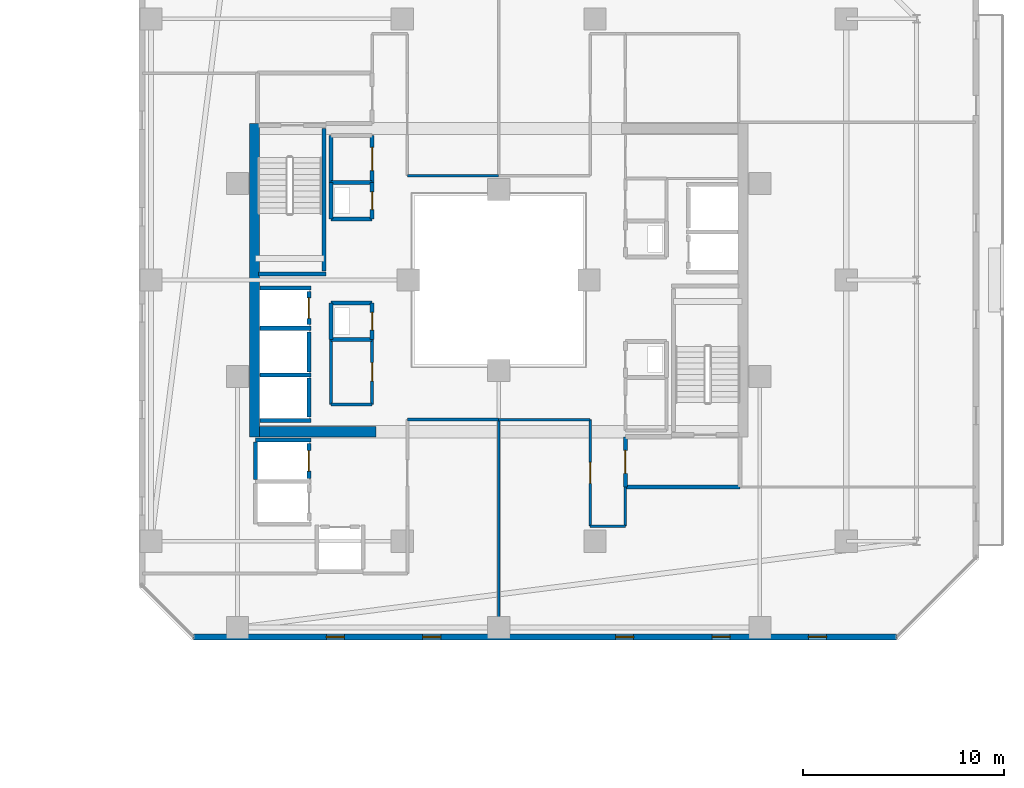
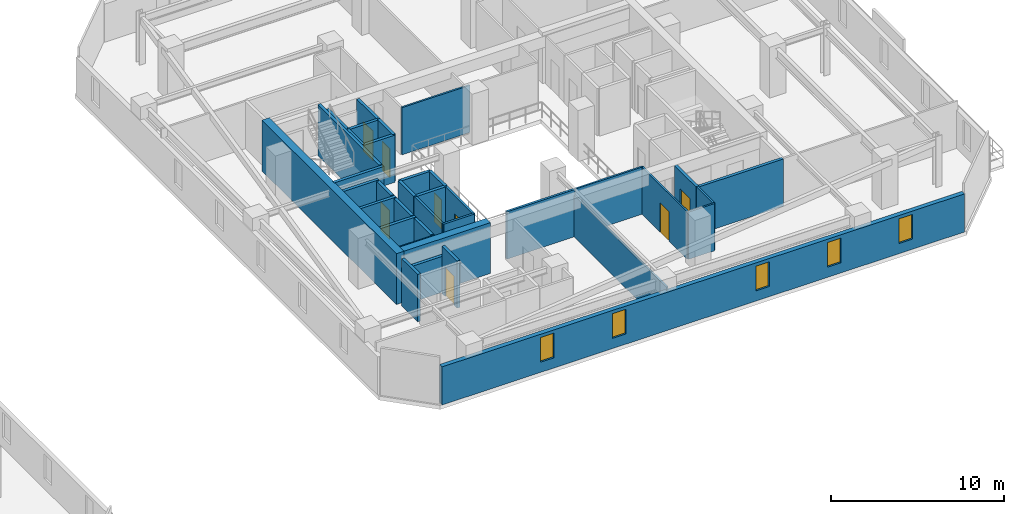
# One storey, part 23 of 32: 37 walls, 8 doors, 5 windows, 13 openings.
"""IFC4 building model written with IfcOpenShell, lengths in metres."""

from ifc_helpers import new_model, si_unit, direction, frame, frame_2d, origin, place, context, subcontext, project, spatial, rectangle, extrude, material, layer, layer_set, type_object, element, fill, save


model = new_model("IFC4")

# Units and contexts
model_context = context("Model", 3, precision=1e-05, world=origin(), true_north=direction((0.0, 1.0)))
body_context = subcontext(model_context, "Body", "Model", "MODEL_VIEW")
ifc_project = project(units=[si_unit("LENGTHUNIT", "METRE"), si_unit("AREAUNIT", "SQUARE_METRE"), si_unit("VOLUMEUNIT", "CUBIC_METRE"), si_unit("PLANEANGLEUNIT", "RADIAN"), si_unit("MASSUNIT", "GRAM", prefix="KILO")], contexts=[model_context])

# Site, building, storey
site_placement = place(None, origin())
site = spatial("IfcSite", under=ifc_project, at=site_placement, CompositionType="ELEMENT")
building_placement = place(site_placement, origin())
building = spatial("IfcBuilding", under=site, at=building_placement, Name="Thornwick Lancets Civic Towers", CompositionType="ELEMENT")
storey_placement = place(building_placement, frame((0.0, 0.0, 152.699951171875)))
storey = spatial("IfcBuildingStorey", under=building, at=storey_placement, Name="L40", CompositionType="ELEMENT", Elevation=152.699951171875)

# Wall, opening, door
ifc_material_1 = material(Name="Concrete blockwork C40/50", Category="masonry")
ifc_layer_1 = layer(ifc_material_1, 0.199951171875, Name="Concrete blockwork C40/50")
ifc_layer_set_1 = layer_set([ifc_layer_1], Name="Concrete blockwork C40/50")
wall_type_1 = type_object("IfcWallType", Name="WALL_COMP_200", PredefinedType="STANDARD", material=ifc_layer_set_1)
wall_1_placement = place(storey_placement, frame((79.050048828125, 24.780029296875, 0.0), z_axis=(0.0, 0.0, 1.0), x_axis=(0.0, 1.0, 0.0)))
wall_1 = element("IfcWall", 1, at=wall_1_placement, inside=storey, type_object=wall_type_1, Name="L40 Hoistway Front Wall FL-B2", PredefinedType="STANDARD", context=body_context, shape_type="SweptSolid", body=[
    extrude(rectangle(XDim=1.639892578125, YDim=0.199951171875, at=frame_2d((0.81982421875, 0.0))), origin(), (0.0, 0.0, 1.0), 3.340087890625),
])
opening_1_placement = place(wall_1_placement, frame((0.31005859375, 0.0, 0.0)))
opening_1 = element("IfcOpeningElement", 2, at=opening_1_placement, cuts=wall_1, Name="Opening LD-FL-B2", PredefinedType="OPENING", context=body_context, shape_type="SweptSolid", body=[
    extrude(rectangle(XDim=1.02001953125, YDim=2.06005859375, at=frame_2d((0.510009765625, 1.030029296875))), frame((0.0, 0.10986328125, 0.0), z_axis=(0.0, -1.0, 0.0), x_axis=(1.0, 0.0, 0.0)), (0.0, 0.0, 1.0), 0.219970703125),
])
ifc_material_2 = material(Name="Brushed bronze stainless steel", Category="steel")
door_type_1 = type_object("IfcDoorType", Name="DOOR_LIFT_SLIDE", OperationType="SLIDING_TO_LEFT", PredefinedType="DOOR", material=ifc_material_2)
door_1_placement = place(opening_1_placement, origin())
door_1 = element("IfcDoor", 3, at=door_1_placement, inside=storey, type_object=door_type_1, Name="L40 Sliding Lift Landing Door LD-FL-B2", OperationType="SLIDING_TO_LEFT", OverallHeight=2.06005859375, OverallWidth=1.02001953125, PredefinedType="DOOR", context=body_context, shape_type="SweptSolid", body=[
    extrude(rectangle(XDim=1.02001953125, YDim=2.06005859375, at=frame_2d((0.510009765625, 1.030029296875))), frame((0.0, 0.02490234375, 0.0), z_axis=(0.0, -1.0, 0.0), x_axis=(1.0, 0.0, 0.0)), (0.0, 0.0, 1.0), 0.050048828125),
])
fill(opening_1, door_1)

# Walls
wall_2_placement = place(storey_placement, frame((79.050048828125, 22.429931640625, 0.0), z_axis=(0.0, 0.0, 1.0), x_axis=(0.0, 1.0, 0.0)))
element("IfcWall", 4, at=wall_2_placement, inside=storey, type_object=wall_type_1, Name="L40 Hoistway Front Wall PL-BH2", PredefinedType="STANDARD", context=body_context, shape_type="SweptSolid", body=[
    extrude(rectangle(XDim=1.989990234375, YDim=0.199951171875, at=frame_2d((0.9951171875, 0.0))), origin(), (0.0, 0.0, 1.0), 3.340087890625),
])
wall_3_placement = place(storey_placement, frame((79.050048828125, 20.179931640625, 0.0), z_axis=(0.0, 0.0, 1.0), x_axis=(0.0, 1.0, 0.0)))
element("IfcWall", 5, at=wall_3_placement, inside=storey, type_object=wall_type_1, Name="L40 Hoistway Front Wall PL-BH3", PredefinedType="STANDARD", context=body_context, shape_type="SweptSolid", body=[
    extrude(rectangle(XDim=1.940185546875, YDim=0.199951171875, at=frame_2d((0.97021484375, 0.0))), origin(), (0.0, 0.0, 1.0), 3.340087890625),
])

# Wall, opening, door
wall_4_placement = place(storey_placement, frame((79.050048828125, 17.1298828125, 0.0), z_axis=(0.0, 0.0, 1.0), x_axis=(0.0, 1.0, 0.0)))
wall_4 = element("IfcWall", 6, at=wall_4_placement, inside=storey, type_object=wall_type_1, Name="L40 Hoistway Front Wall PL-BM1", PredefinedType="STANDARD", context=body_context, shape_type="SweptSolid", body=[
    extrude(rectangle(XDim=1.740234375, YDim=0.199951171875, at=frame_2d((0.8701171875, 0.0))), origin(), (0.0, 0.0, 1.0), 3.340087890625),
])
opening_2_placement = place(wall_4_placement, frame((0.360107421875, 0.0, 0.0)))
opening_2 = element("IfcOpeningElement", 7, at=opening_2_placement, cuts=wall_4, Name="Opening LD-PL-BM1", PredefinedType="OPENING", context=body_context, shape_type="SweptSolid", body=[
    extrude(rectangle(XDim=1.02001953125, YDim=2.06005859375, at=frame_2d((0.510009765625, 1.030029296875))), frame((0.0, 0.10986328125, 0.0), z_axis=(0.0, -1.0, 0.0), x_axis=(1.0, 0.0, 0.0)), (0.0, 0.0, 1.0), 0.219970703125),
])
door_2_placement = place(opening_2_placement, origin())
door_2 = element("IfcDoor", 8, at=door_2_placement, inside=storey, type_object=door_type_1, Name="L40 Sliding Lift Landing Door LD-PL-BM1", OperationType="SLIDING_TO_LEFT", OverallHeight=2.06005859375, OverallWidth=1.02001953125, PredefinedType="DOOR", context=body_context, shape_type="SweptSolid", body=[
    extrude(rectangle(XDim=1.02001953125, YDim=2.06005859375, at=frame_2d((0.510009765625, 1.030029296875))), frame((0.0, 0.02490234375, 0.0), z_axis=(0.0, -1.0, 0.0), x_axis=(1.0, 0.0, 0.0)), (0.0, 0.0, 1.0), 0.050048828125),
])
fill(opening_2, door_2)

# Walls
for number, where, z_axis, x_axis, name in (
    (9, (76.612060546875, 26.60009765625, 0.0), (0.0, 0.0, 1.0), (1.0, 0.0, 0.0), "L40 Hoistway Shaft Wall FL-B2 N"),
    (10, (76.612060546875, 24.60009765625, 0.0), (0.0, 0.0, 1.0), (1.0, 0.0, 0.0), "L40 Hoistway Shaft Wall FL-B2 S"),
    (11, (76.612060546875, 22.27490234375, 0.0), (0.0, 0.0, 1.0), (1.0, 0.0, 0.0), "L40 Hoistway Shaft Wall PL-BH2 S"),
    (12, (76.612060546875, 20.0, 0.0), (0.0, 0.0, 1.0), (1.0, 0.0, 0.0), "L40 Hoistway Shaft Wall PL-BH3 S"),
):
    element("IfcWall", number, at=place(storey_placement, frame(where, z_axis=z_axis, x_axis=x_axis)), inside=storey, type_object=wall_type_1, Name=name, PredefinedType="STANDARD", context=body_context, shape_type="SweptSolid", body=[
        extrude(rectangle(XDim=2.535888671875, YDim=0.199951171875, at=frame_2d((1.26806640625, 0.0))), origin(), (0.0, 0.0, 1.0), 3.340087890625),
    ])
wall_5_placement = place(storey_placement, frame((76.402099609375, 19.050048828125, 0.0), z_axis=(0.0, 0.0, 1.0), x_axis=(1.0, 0.0, 0.0)))
element("IfcWall", 13, at=wall_5_placement, inside=storey, type_object=wall_type_1, Name="L40 Hoistway Shaft Wall PL-BM1 N", PredefinedType="STANDARD", context=body_context, shape_type="SweptSolid", body=[
    extrude(rectangle(XDim=2.745849609375, YDim=0.199951171875, at=frame_2d((1.373046875, 0.0))), origin(), (0.0, 0.0, 1.0), 2.545166015625),
])
wall_6_placement = place(storey_placement, frame((76.39990234375, 17.08203125, 0.0), z_axis=(0.0, 0.0, 1.0), x_axis=(0.0, 1.0, 0.0)))
element("IfcWall", 14, at=wall_6_placement, inside=storey, type_object=wall_type_1, Name="L40 Hoistway Shaft Wall PL-BM1 W", PredefinedType="STANDARD", context=body_context, shape_type="SweptSolid", body=[
    extrude(rectangle(XDim=1.85595703125, YDim=0.199951171875, at=frame_2d((0.927978515625, 0.0))), origin(), (0.0, 0.0, 1.0), 3.340087890625),
])
wall_7_placement = place(storey_placement, frame((94.800048828125, 16.699951171875, 0.0), z_axis=(0.0, 0.0, 1.0), x_axis=(1.0, 0.0, 0.0)))
element("IfcWall", 15, at=wall_7_placement, inside=storey, type_object=wall_type_1, Name="L40 Partition L40-B-FFLOB1 E1", PredefinedType="STANDARD", context=body_context, shape_type="SweptSolid", body=[
    extrude(rectangle(XDim=5.699951171875, YDim=0.199951171875, at=frame_2d((2.85009765625, 0.0))), origin(), (0.0, 0.0, 1.0), 3.340087890625),
])

# Wall, opening, door
wall_8_placement = place(storey_placement, frame((94.800048828125, 19.199951171875, 0.0), z_axis=(0.0, 0.0, 1.0), x_axis=(0.0, -1.0, 0.0)))
wall_8 = element("IfcWall", 16, at=wall_8_placement, inside=storey, type_object=wall_type_1, Name="L40 Partition L40-B-FFLOB1 E4", PredefinedType="STANDARD", context=body_context, shape_type="SweptSolid", body=[
    extrude(rectangle(XDim=2.5, YDim=0.199951171875, at=frame_2d((1.25, 0.0))), origin(), (0.0, 0.0, 1.0), 3.340087890625),
])
opening_3_placement = place(wall_8_placement, frame((0.675048828125, 0.0, 0.0)))
opening_3 = element("IfcOpeningElement", 17, at=opening_3_placement, cuts=wall_8, Name="Opening D-L40-1804", PredefinedType="OPENING", context=body_context, shape_type="SweptSolid", body=[
    extrude(rectangle(XDim=1.14990234375, YDim=2.10009765625, at=frame_2d((0.574951171875, 1.050048828125))), frame((0.0, 0.10986328125, 0.0), z_axis=(0.0, -1.0, 0.0), x_axis=(1.0, 0.0, 0.0)), (0.0, 0.0, 1.0), 0.219970703125),
])
ifc_material_3 = material(Name="Glazed fire-resisting steel", Category="steel")
door_type_2 = type_object("IfcDoorType", Name="DOOR_LOBBY_FD60", OperationType="NOTDEFINED", PredefinedType="DOOR", material=ifc_material_3)
door_3_placement = place(opening_3_placement, origin())
door_3 = element("IfcDoor", 18, at=door_3_placement, inside=storey, type_object=door_type_2, Name="L40 East Firefighting Lobby 1 Door", OperationType="SINGLE_SWING_LEFT", OverallHeight=2.10009765625, OverallWidth=1.14990234375, PredefinedType="DOOR", context=body_context, shape_type="SweptSolid", body=[
    extrude(rectangle(XDim=1.14990234375, YDim=2.10009765625, at=frame_2d((0.574951171875, 1.050048828125))), frame((0.0, 0.02490234375, 0.0), z_axis=(0.0, -1.0, 0.0), x_axis=(1.0, 0.0, 0.0)), (0.0, 0.0, 1.0), 0.050048828125),
])
fill(opening_3, door_3)

# Wall
wall_9_placement = place(storey_placement, frame((80.14990234375, 24.050048828125, 0.0), z_axis=(0.0, 0.0, 1.0), x_axis=(1.0, 0.0, 0.0)))
element("IfcWall", 19, at=wall_9_placement, inside=storey, type_object=wall_type_1, Name="L40 Partition L40-B-DUCT2 E1", PredefinedType="STANDARD", context=body_context, shape_type="SweptSolid", body=[
    extrude(rectangle(XDim=2.050048828125, YDim=0.199951171875, at=frame_2d((1.02490234375, 0.0))), origin(), (0.0, 0.0, 1.0), 3.340087890625),
])

# Wall, opening, door
wall_10_placement = place(storey_placement, frame((82.199951171875, 24.050048828125, 0.0), z_axis=(0.0, 0.0, 1.0), x_axis=(0.0, 1.0, 0.0)))
wall_10 = element("IfcWall", 20, at=wall_10_placement, inside=storey, type_object=wall_type_1, Name="L40 Partition L40-B-DUCT2 E2", PredefinedType="STANDARD", context=body_context, shape_type="SweptSolid", body=[
    extrude(rectangle(XDim=1.800048828125, YDim=0.199951171875, at=frame_2d((0.89990234375, 0.0))), origin(), (0.0, 0.0, 1.0), 3.340087890625),
])
opening_4_placement = place(wall_10_placement, frame((0.4599609375, 0.0, 0.0)))
opening_4 = element("IfcOpeningElement", 21, at=opening_4_placement, cuts=wall_10, Name="Opening D-L40-1808", PredefinedType="OPENING", context=body_context, shape_type="SweptSolid", body=[
    extrude(rectangle(XDim=0.8798828125, YDim=2.0400390625, at=frame_2d((0.43994140625, 1.02001953125))), frame((0.0, 0.10986328125, 0.0), z_axis=(0.0, -1.0, 0.0), x_axis=(1.0, 0.0, 0.0)), (0.0, 0.0, 1.0), 0.219970703125),
])
ifc_material_4 = material(Name="Steel riser access doorset", Category="steel")
door_type_3 = type_object("IfcDoorType", Name="DOOR_RISER_850", OperationType="NOTDEFINED", PredefinedType="DOOR", material=ifc_material_4)
door_4_placement = place(opening_4_placement, origin())
door_4 = element("IfcDoor", 22, at=door_4_placement, inside=storey, type_object=door_type_3, Name="L40 West Service Duct 2 Door", OperationType="SINGLE_SWING_LEFT", OverallHeight=2.0400390625, OverallWidth=0.8798828125, PredefinedType="DOOR", context=body_context, shape_type="SweptSolid", body=[
    extrude(rectangle(XDim=0.8798828125, YDim=2.0400390625, at=frame_2d((0.43994140625, 1.02001953125))), frame((0.0, 0.02490234375, 0.0), z_axis=(0.0, -1.0, 0.0), x_axis=(1.0, 0.0, 0.0)), (0.0, 0.0, 1.0), 0.050048828125),
])
fill(opening_4, door_4)

# Walls
wall_11_placement = place(storey_placement, frame((82.199951171875, 25.85009765625, 0.0), z_axis=(0.0, 0.0, 1.0), x_axis=(-1.0, 0.0, 0.0)))
element("IfcWall", 23, at=wall_11_placement, inside=storey, type_object=wall_type_1, Name="L40 Partition L40-B-DUCT2 E3", PredefinedType="STANDARD", context=body_context, shape_type="SweptSolid", body=[
    extrude(rectangle(XDim=2.050048828125, YDim=0.199951171875, at=frame_2d((1.02490234375, 0.0))), origin(), (0.0, 0.0, 1.0), 3.340087890625),
])
wall_12_placement = place(storey_placement, frame((80.14990234375, 25.85009765625, 0.0), z_axis=(0.0, 0.0, 1.0), x_axis=(0.0, -1.0, 0.0)))
element("IfcWall", 24, at=wall_12_placement, inside=storey, type_object=wall_type_1, Name="L40 Partition L40-B-DUCT2 E4", PredefinedType="STANDARD", context=body_context, shape_type="SweptSolid", body=[
    extrude(rectangle(XDim=1.800048828125, YDim=0.199951171875, at=frame_2d((0.89990234375, 0.0))), origin(), (0.0, 0.0, 1.0), 3.340087890625),
])
wall_13_placement = place(storey_placement, frame((80.14990234375, 30.050048828125, 0.0), z_axis=(0.0, 0.0, 1.0), x_axis=(1.0, 0.0, 0.0)))
element("IfcWall", 25, at=wall_13_placement, inside=storey, type_object=wall_type_1, Name="L40 Partition L40-B-RISER2 E1", PredefinedType="STANDARD", context=body_context, shape_type="SweptSolid", body=[
    extrude(rectangle(XDim=2.050048828125, YDim=0.199951171875, at=frame_2d((1.02490234375, 0.0))), origin(), (0.0, 0.0, 1.0), 3.340087890625),
])

# Wall, opening, door
wall_14_placement = place(storey_placement, frame((82.199951171875, 30.050048828125, 0.0), z_axis=(0.0, 0.0, 1.0), x_axis=(0.0, 1.0, 0.0)))
wall_14 = element("IfcWall", 26, at=wall_14_placement, inside=storey, type_object=wall_type_1, Name="L40 Partition L40-B-RISER2 E2", PredefinedType="STANDARD", context=body_context, shape_type="SweptSolid", body=[
    extrude(rectangle(XDim=1.800048828125, YDim=0.199951171875, at=frame_2d((0.89990234375, 0.0))), origin(), (0.0, 0.0, 1.0), 3.340087890625),
])
opening_5_placement = place(wall_14_placement, frame((0.4599609375, 0.0, 0.0)))
opening_5 = element("IfcOpeningElement", 27, at=opening_5_placement, cuts=wall_14, Name="Opening D-L40-1809", PredefinedType="OPENING", context=body_context, shape_type="SweptSolid", body=[
    extrude(rectangle(XDim=0.8798828125, YDim=2.0400390625, at=frame_2d((0.43994140625, 1.02001953125))), frame((0.0, 0.10986328125, 0.0), z_axis=(0.0, -1.0, 0.0), x_axis=(1.0, 0.0, 0.0)), (0.0, 0.0, 1.0), 0.219970703125),
])
door_5_placement = place(opening_5_placement, origin())
door_5 = element("IfcDoor", 28, at=door_5_placement, inside=storey, type_object=door_type_3, Name="L40 West Service Riser 2 Door", OperationType="SINGLE_SWING_RIGHT", OverallHeight=2.0400390625, OverallWidth=0.8798828125, PredefinedType="DOOR", context=body_context, shape_type="SweptSolid", body=[
    extrude(rectangle(XDim=0.8798828125, YDim=2.0400390625, at=frame_2d((0.43994140625, 1.02001953125))), frame((0.0, 0.02490234375, 0.0), z_axis=(0.0, -1.0, 0.0), x_axis=(1.0, 0.0, 0.0)), (0.0, 0.0, 1.0), 0.050048828125),
])
fill(opening_5, door_5)

# Walls
wall_15_placement = place(storey_placement, frame((82.199951171875, 31.85009765625, 0.0), z_axis=(0.0, 0.0, 1.0), x_axis=(-1.0, 0.0, 0.0)))
element("IfcWall", 29, at=wall_15_placement, inside=storey, type_object=wall_type_1, Name="L40 Partition L40-B-RISER2 E3", PredefinedType="STANDARD", context=body_context, shape_type="SweptSolid", body=[
    extrude(rectangle(XDim=2.050048828125, YDim=0.199951171875, at=frame_2d((1.02490234375, 0.0))), origin(), (0.0, 0.0, 1.0), 3.340087890625),
])
wall_16_placement = place(storey_placement, frame((80.14990234375, 31.85009765625, 0.0), z_axis=(0.0, 0.0, 1.0), x_axis=(0.0, -1.0, 0.0)))
element("IfcWall", 30, at=wall_16_placement, inside=storey, type_object=wall_type_1, Name="L40 Partition L40-B-RISER2 E4", PredefinedType="STANDARD", context=body_context, shape_type="SweptSolid", body=[
    extrude(rectangle(XDim=1.800048828125, YDim=0.199951171875, at=frame_2d((0.89990234375, 0.0))), origin(), (0.0, 0.0, 1.0), 3.340087890625),
])
wall_17_placement = place(storey_placement, frame((80.14990234375, 31.85009765625, 0.0), z_axis=(0.0, 0.0, 1.0), x_axis=(0.0, 1.0, 0.0)))
element("IfcWall", 31, at=wall_17_placement, inside=storey, type_object=wall_type_1, Name="L40 Partition L40-B-STR E1", PredefinedType="STANDARD", context=body_context, shape_type="SweptSolid", body=[
    extrude(rectangle(XDim=2.349853515625, YDim=0.199951171875, at=frame_2d((1.1748046875, 0.0))), origin(), (0.0, 0.0, 1.0), 3.340087890625),
])

# Wall, opening, door
wall_18_placement = place(storey_placement, frame((82.199951171875, 34.199951171875, 0.0), z_axis=(0.0, 0.0, 1.0), x_axis=(0.0, -1.0, 0.0)))
wall_18 = element("IfcWall", 32, at=wall_18_placement, inside=storey, type_object=wall_type_1, Name="L40 Partition L40-B-STR E3", PredefinedType="STANDARD", context=body_context, shape_type="SweptSolid", body=[
    extrude(rectangle(XDim=2.349853515625, YDim=0.199951171875, at=frame_2d((1.1748046875, 0.0))), origin(), (0.0, 0.0, 1.0), 3.340087890625),
])
opening_6_placement = place(wall_18_placement, frame((0.60009765625, 0.0, 0.0)))
opening_6 = element("IfcOpeningElement", 33, at=opening_6_placement, cuts=wall_18, Name="Opening D-L40-1814", PredefinedType="OPENING", context=body_context, shape_type="SweptSolid", body=[
    extrude(rectangle(XDim=1.14990234375, YDim=2.10009765625, at=frame_2d((0.574951171875, 1.050048828125))), frame((0.0, 0.10986328125, 0.0), z_axis=(0.0, -1.0, 0.0), x_axis=(1.0, 0.0, 0.0)), (0.0, 0.0, 1.0), 0.219970703125),
])
door_6_placement = place(opening_6_placement, origin())
door_6 = element("IfcDoor", 34, at=door_6_placement, inside=storey, type_object=door_type_2, Name="L40 Tower B Core Equipment Store Door", OperationType="SINGLE_SWING_LEFT", OverallHeight=2.10009765625, OverallWidth=1.14990234375, PredefinedType="DOOR", context=body_context, shape_type="SweptSolid", body=[
    extrude(rectangle(XDim=1.14990234375, YDim=2.10009765625, at=frame_2d((0.574951171875, 1.050048828125))), frame((0.0, 0.02490234375, 0.0), z_axis=(0.0, -1.0, 0.0), x_axis=(1.0, 0.0, 0.0)), (0.0, 0.0, 1.0), 0.050048828125),
])
fill(opening_6, door_6)

# Walls
ifc_material_5 = material(Name="Concrete C50/60", Category="concrete")
ifc_layer_2 = layer(ifc_material_5, 0.5, Name="Concrete C50/60")
ifc_layer_set_2 = layer_set([ifc_layer_2], Name="Concrete C50/60")
wall_type_2 = type_object("IfcWallType", Name="WALL_CORE_500", PredefinedType="SHEAR", material=ifc_layer_set_2)
wall_19_placement = place(storey_placement, frame((76.35009765625, 19.199951171875, 0.0), z_axis=(0.0, 0.0, 1.0), x_axis=(0.0, 1.0, 0.0)))
element("IfcWall", 35, at=wall_19_placement, inside=storey, type_object=wall_type_2, Name="L40 Split Core B2 Shear Wall W", PredefinedType="SHEAR", context=body_context, shape_type="SweptSolid", body=[
    extrude(rectangle(XDim=15.60009765625, YDim=0.5, at=frame_2d((7.800048828125, 0.0))), origin(), (0.0, 0.0, 1.0), 3.60009765625),
])
wall_20_placement = place(storey_placement, frame((76.60009765625, 19.449951171875, 0.0), z_axis=(0.0, 0.0, 1.0), x_axis=(1.0, 0.0, 0.0)))
element("IfcWall", 36, at=wall_20_placement, inside=storey, type_object=wall_type_2, Name="L40 Split Core B2 Shear Wall S", PredefinedType="SHEAR", context=body_context, shape_type="SweptSolid", body=[
    extrude(rectangle(XDim=5.7998046875, YDim=0.5, at=frame_2d((2.89990234375, 0.0))), origin(), (0.0, 0.0, 1.0), 3.60009765625),
])

# Wall, openings, windows
ifc_material_6 = material(Name="Insulated russet terracotta rainscreen on concrete C40/50", Category="masonry")
ifc_layer_3 = layer(ifc_material_6, 0.300048828125, Name="Insulated russet terracotta rainscreen on concrete C40/50")
ifc_layer_set_3 = layer_set([ifc_layer_3], Name="Insulated russet terracotta rainscreen on concrete C40/50")
wall_type_3 = type_object("IfcWallType", Name="WALL_EXT_RUSSET_300", PredefinedType="STANDARD", material=ifc_layer_set_3)
wall_21_placement = place(storey_placement, frame((73.318603515625, 9.2353515625, 0.0), z_axis=(0.0, 0.0, 1.0), x_axis=(0.999999991209, 0.000132597301, 0.0)))
wall_21 = element("IfcWall", 37, at=wall_21_placement, inside=storey, type_object=wall_type_3, Name="L40 Tower B Terracotta Facade Wall E0", PredefinedType="STANDARD", context=body_context, shape_type="SweptSolid", body=[
    extrude(rectangle(XDim=34.983154296875, YDim=0.300048828125, at=frame_2d((17.49169921875, 0.0))), origin(), (0.0, 0.0, 1.0), 2.699951171875),
])
opening_7_placement = place(wall_21_placement, frame((6.60009765625, 0.0, 0.719970703125)))
opening_7 = element("IfcOpeningElement", 38, at=opening_7_placement, cuts=wall_21, Name="Opening WL-01", PredefinedType="OPENING", context=body_context, shape_type="SweptSolid", body=[
    extrude(rectangle(XDim=0.89990234375, YDim=1.75, at=frame_2d((0.449951171875, 0.875))), frame((0.0, 0.16015625, 0.0), z_axis=(0.0, -1.0, 0.0), x_axis=(1.0, 0.0, 0.0)), (0.0, 0.0, 1.0), 0.320068359375),
])
opening_8_placement = place(wall_21_placement, frame((11.39990234375, 0.0, 0.719970703125)))
opening_8 = element("IfcOpeningElement", 39, at=opening_8_placement, cuts=wall_21, Name="Opening WL-01", PredefinedType="OPENING", context=body_context, shape_type="SweptSolid", body=[
    extrude(rectangle(XDim=0.89990234375, YDim=1.75, at=frame_2d((0.449951171875, 0.875))), frame((0.0, 0.16015625, 0.0), z_axis=(0.0, -1.0, 0.0), x_axis=(1.0, 0.0, 0.0)), (0.0, 0.0, 1.0), 0.320068359375),
])
opening_9_placement = place(wall_21_placement, frame((21.0, 0.0, 0.719970703125)))
opening_9 = element("IfcOpeningElement", 40, at=opening_9_placement, cuts=wall_21, Name="Opening WL-01", PredefinedType="OPENING", context=body_context, shape_type="SweptSolid", body=[
    extrude(rectangle(XDim=0.89990234375, YDim=1.75, at=frame_2d((0.449951171875, 0.875))), frame((0.0, 0.16015625, 0.0), z_axis=(0.0, -1.0, 0.0), x_axis=(1.0, 0.0, 0.0)), (0.0, 0.0, 1.0), 0.320068359375),
])
opening_10_placement = place(wall_21_placement, frame((25.800048828125, 0.0, 0.719970703125)))
opening_10 = element("IfcOpeningElement", 41, at=opening_10_placement, cuts=wall_21, Name="Opening WL-01", PredefinedType="OPENING", context=body_context, shape_type="SweptSolid", body=[
    extrude(rectangle(XDim=0.89990234375, YDim=1.75, at=frame_2d((0.449951171875, 0.875))), frame((0.0, 0.16015625, 0.0), z_axis=(0.0, -1.0, 0.0), x_axis=(1.0, 0.0, 0.0)), (0.0, 0.0, 1.0), 0.320068359375),
])
opening_11_placement = place(wall_21_placement, frame((30.60009765625, 0.0, 0.719970703125)))
opening_11 = element("IfcOpeningElement", 42, at=opening_11_placement, cuts=wall_21, Name="Opening WL-01", PredefinedType="OPENING", context=body_context, shape_type="SweptSolid", body=[
    extrude(rectangle(XDim=0.89990234375, YDim=1.75, at=frame_2d((0.449951171875, 0.875))), frame((0.0, 0.16015625, 0.0), z_axis=(0.0, -1.0, 0.0), x_axis=(1.0, 0.0, 0.0)), (0.0, 0.0, 1.0), 0.320068359375),
])
ifc_material_7 = material(Name="Clear low-e double glazing in bronze frame", Category="glass")
window_type = type_object("IfcWindowType", Name="WIN_LANCET_900", PartitioningType="SINGLE_PANEL", PredefinedType="WINDOW", material=ifc_material_7)
window_1_placement = place(opening_7_placement, origin())
window_1 = element("IfcWindow", 43, at=window_1_placement, inside=storey, type_object=window_type, Name="L40 Tower B Staggered Lancet Window E0-1", OverallHeight=1.75, OverallWidth=0.89990234375, PartitioningType="SINGLE_PANEL", PredefinedType="WINDOW", context=body_context, shape_type="SweptSolid", body=[
    extrude(rectangle(XDim=0.89990234375, YDim=1.75, at=frame_2d((0.449951171875, 0.875))), frame((0.0, 0.030029296875, 0.0), z_axis=(0.0, -1.0, 0.0), x_axis=(1.0, 0.0, 0.0)), (0.0, 0.0, 1.0), 0.06005859375),
])
fill(opening_7, window_1)
window_2_placement = place(opening_8_placement, origin())
window_2 = element("IfcWindow", 44, at=window_2_placement, inside=storey, type_object=window_type, Name="L40 Tower B Staggered Lancet Window E0-2", OverallHeight=1.75, OverallWidth=0.89990234375, PartitioningType="SINGLE_PANEL", PredefinedType="WINDOW", context=body_context, shape_type="SweptSolid", body=[
    extrude(rectangle(XDim=0.89990234375, YDim=1.75, at=frame_2d((0.449951171875, 0.875))), frame((0.0, 0.030029296875, 0.0), z_axis=(0.0, -1.0, 0.0), x_axis=(1.0, 0.0, 0.0)), (0.0, 0.0, 1.0), 0.06005859375),
])
fill(opening_8, window_2)
window_3_placement = place(opening_9_placement, origin())
window_3 = element("IfcWindow", 45, at=window_3_placement, inside=storey, type_object=window_type, Name="L40 Tower B Staggered Lancet Window E0-3", OverallHeight=1.75, OverallWidth=0.89990234375, PartitioningType="SINGLE_PANEL", PredefinedType="WINDOW", context=body_context, shape_type="SweptSolid", body=[
    extrude(rectangle(XDim=0.89990234375, YDim=1.75, at=frame_2d((0.449951171875, 0.875))), frame((0.0, 0.030029296875, 0.0), z_axis=(0.0, -1.0, 0.0), x_axis=(1.0, 0.0, 0.0)), (0.0, 0.0, 1.0), 0.06005859375),
])
fill(opening_9, window_3)
window_4_placement = place(opening_10_placement, origin())
window_4 = element("IfcWindow", 46, at=window_4_placement, inside=storey, type_object=window_type, Name="L40 Tower B Staggered Lancet Window E0-4", OverallHeight=1.75, OverallWidth=0.89990234375, PartitioningType="SINGLE_PANEL", PredefinedType="WINDOW", context=body_context, shape_type="SweptSolid", body=[
    extrude(rectangle(XDim=0.89990234375, YDim=1.75, at=frame_2d((0.449951171875, 0.875))), frame((0.0, 0.030029296875, 0.0), z_axis=(0.0, -1.0, 0.0), x_axis=(1.0, 0.0, 0.0)), (0.0, 0.0, 1.0), 0.06005859375),
])
fill(opening_10, window_4)
window_5_placement = place(opening_11_placement, origin())
window_5 = element("IfcWindow", 47, at=window_5_placement, inside=storey, type_object=window_type, Name="L40 Tower B Staggered Lancet Window E0-5", OverallHeight=1.75, OverallWidth=0.89990234375, PartitioningType="SINGLE_PANEL", PredefinedType="WINDOW", context=body_context, shape_type="SweptSolid", body=[
    extrude(rectangle(XDim=0.89990234375, YDim=1.75, at=frame_2d((0.449951171875, 0.875))), frame((0.0, 0.030029296875, 0.0), z_axis=(0.0, -1.0, 0.0), x_axis=(1.0, 0.0, 0.0)), (0.0, 0.0, 1.0), 0.06005859375),
])
fill(opening_11, window_5)

# Walls
ifc_material_8 = material(Name="Acoustic gypsum board partition")
ifc_layer_4 = layer(ifc_material_8, 0.1201171875, Name="Acoustic gypsum board partition")
ifc_layer_set_4 = layer_set([ifc_layer_4], Name="Acoustic gypsum board partition")
wall_type_4 = type_object("IfcWallType", Name="WALL_PART_120", PredefinedType="PARTITIONING", material=ifc_layer_set_4)
wall_22_placement = place(storey_placement, frame((88.5, 9.280029296875, 0.0), z_axis=(0.0, 0.0, 1.0), x_axis=(0.0, 1.0, 0.0)))
element("IfcWall", 48, at=wall_22_placement, inside=storey, type_object=wall_type_4, Name="L40 Partition L40-B-W1 E2", PredefinedType="PARTITIONING", context=body_context, shape_type="SweptSolid", body=[
    extrude(rectangle(XDim=10.77001953125, YDim=0.1201171875, at=frame_2d((5.385009765625, 0.0))), origin(), (0.0, 0.0, 1.0), 2.93212890625),
])
wall_23_placement = place(storey_placement, frame((88.5, 20.050048828125, 0.0), z_axis=(0.0, 0.0, 1.0), x_axis=(1.0, 0.0, 0.0)))
element("IfcWall", 49, at=wall_23_placement, inside=storey, type_object=wall_type_4, Name="L40 Partition L40-B-W1 E3", PredefinedType="PARTITIONING", context=body_context, shape_type="SweptSolid", body=[
    extrude(rectangle(XDim=4.550048828125, YDim=0.1201171875, at=frame_2d((2.27490234375, 0.0))), origin(), (0.0, 0.0, 1.0), 3.340087890625),
])

# Wall, opening, door
wall_24_placement = place(storey_placement, frame((93.050048828125, 20.050048828125, 0.0), z_axis=(0.0, 0.0, 1.0), x_axis=(0.0, -1.0, 0.0)))
wall_24 = element("IfcWall", 50, at=wall_24_placement, inside=storey, type_object=wall_type_4, Name="L40 Partition L40-B-W1 E4", PredefinedType="PARTITIONING", context=body_context, shape_type="SweptSolid", body=[
    extrude(rectangle(XDim=5.300048828125, YDim=0.1201171875, at=frame_2d((2.64990234375, 0.0))), origin(), (0.0, 0.0, 1.0), 3.340087890625),
])
opening_12_placement = place(wall_24_placement, frame((2.125, 0.0, 0.0)))
opening_12 = element("IfcOpeningElement", 51, at=opening_12_placement, cuts=wall_24, Name="Opening D-L40-1821", PredefinedType="OPENING", context=body_context, shape_type="SweptSolid", body=[
    extrude(rectangle(XDim=1.050048828125, YDim=2.10009765625, at=frame_2d((0.52490234375, 1.050048828125))), frame((0.0, 0.070068359375, 0.0), z_axis=(0.0, -1.0, 0.0), x_axis=(1.0, 0.0, 0.0)), (0.0, 0.0, 1.0), 0.14013671875),
])
ifc_material_9 = material(Name="Glazed European oak executive doorset")
door_type_4 = type_object("IfcDoorType", Name="DOOR_OFFICE_1050", OperationType="NOTDEFINED", PredefinedType="DOOR", material=ifc_material_9)
door_7_placement = place(opening_12_placement, origin())
door_7 = element("IfcDoor", 52, at=door_7_placement, inside=storey, type_object=door_type_4, Name="L40 Tower B Ministry Directorate Office W1 Door", OperationType="SINGLE_SWING_RIGHT", OverallHeight=2.10009765625, OverallWidth=1.050048828125, PredefinedType="DOOR", context=body_context, shape_type="SweptSolid", body=[
    extrude(rectangle(XDim=1.050048828125, YDim=2.10009765625, at=frame_2d((0.52490234375, 1.050048828125))), frame((0.0, 0.02490234375, 0.0), z_axis=(0.0, -1.0, 0.0), x_axis=(1.0, 0.0, 0.0)), (0.0, 0.0, 1.0), 0.050048828125),
])
fill(opening_12, door_7)

# Walls
wall_25_placement = place(storey_placement, frame((93.050048828125, 14.75, 0.0), z_axis=(0.0, 0.0, 1.0), x_axis=(1.0, 0.0, 0.0)))
element("IfcWall", 53, at=wall_25_placement, inside=storey, type_object=wall_type_4, Name="L40 Partition L40-B-W1 E5", PredefinedType="PARTITIONING", context=body_context, shape_type="SweptSolid", body=[
    extrude(rectangle(XDim=1.75, YDim=0.1201171875, at=frame_2d((0.875, 0.0))), origin(), (0.0, 0.0, 1.0), 3.340087890625),
])
wall_26_placement = place(storey_placement, frame((94.800048828125, 14.75, 0.0), z_axis=(0.0, 0.0, 1.0), x_axis=(0.0, 1.0, 0.0)))
element("IfcWall", 54, at=wall_26_placement, inside=storey, type_object=wall_type_4, Name="L40 Partition L40-B-W1 E6", PredefinedType="PARTITIONING", context=body_context, shape_type="SweptSolid", body=[
    extrude(rectangle(XDim=1.949951171875, YDim=0.1201171875, at=frame_2d((0.97509765625, 0.0))), origin(), (0.0, 0.0, 1.0), 3.340087890625),
])
wall_27_placement = place(storey_placement, frame((88.5, 32.199951171875, 0.0), z_axis=(0.0, 0.0, 1.0), x_axis=(-1.0, 0.0, 0.0)))
element("IfcWall", 55, at=wall_27_placement, inside=storey, type_object=wall_type_4, Name="L40 Partition L40-B-E3 E11", PredefinedType="PARTITIONING", context=body_context, shape_type="SweptSolid", body=[
    extrude(rectangle(XDim=4.550048828125, YDim=0.1201171875, at=frame_2d((2.27490234375, 0.0))), origin(), (0.0, 0.0, 1.0), 3.340087890625),
])
ifc_material_10 = material(Name="Twin-stud acoustic gypsum board")
ifc_layer_5 = layer(ifc_material_10, 0.14990234375, Name="Twin-stud acoustic gypsum board")
ifc_layer_set_5 = layer_set([ifc_layer_5], Name="Twin-stud acoustic gypsum board")
wall_type_5 = type_object("IfcWallType", Name="WALL_PART_150", PredefinedType="PARTITIONING", material=ifc_layer_set_5)
wall_28_placement = place(storey_placement, frame((82.199951171875, 20.800048828125, 0.0), z_axis=(0.0, 0.0, 1.0), x_axis=(-1.0, 0.0, 0.0)))
element("IfcWall", 56, at=wall_28_placement, inside=storey, type_object=wall_type_5, Name="L40 Partition L40-B-FWC E1", PredefinedType="PARTITIONING", context=body_context, shape_type="SweptSolid", body=[
    extrude(rectangle(XDim=2.050048828125, YDim=0.14990234375, at=frame_2d((1.02490234375, 0.0))), origin(), (0.0, 0.0, 1.0), 3.340087890625),
])
wall_29_placement = place(storey_placement, frame((80.14990234375, 20.800048828125, 0.0), z_axis=(0.0, 0.0, 1.0), x_axis=(0.0, 1.0, 0.0)))
element("IfcWall", 57, at=wall_29_placement, inside=storey, type_object=wall_type_5, Name="L40 Partition L40-B-FWC E2", PredefinedType="PARTITIONING", context=body_context, shape_type="SweptSolid", body=[
    extrude(rectangle(XDim=3.25, YDim=0.14990234375, at=frame_2d((1.625, 0.0))), origin(), (0.0, 0.0, 1.0), 3.340087890625),
])

# Wall, opening, door
wall_30_placement = place(storey_placement, frame((82.199951171875, 24.050048828125, 0.0), z_axis=(0.0, 0.0, 1.0), x_axis=(0.0, -1.0, 0.0)))
wall_30 = element("IfcWall", 58, at=wall_30_placement, inside=storey, type_object=wall_type_5, Name="L40 Partition L40-B-FWC E4", PredefinedType="PARTITIONING", context=body_context, shape_type="SweptSolid", body=[
    extrude(rectangle(XDim=3.25, YDim=0.14990234375, at=frame_2d((1.625, 0.0))), origin(), (0.0, 0.0, 1.0), 3.340087890625),
])
opening_13_placement = place(wall_30_placement, frame((1.1650390625, 0.0, 0.0)))
opening_13 = element("IfcOpeningElement", 59, at=opening_13_placement, cuts=wall_30, Name="Opening D-L40-1813", PredefinedType="OPENING", context=body_context, shape_type="SweptSolid", body=[
    extrude(rectangle(XDim=0.919921875, YDim=2.080078125, at=frame_2d((0.4599609375, 1.0400390625))), frame((0.0, 0.0849609375, 0.0), z_axis=(0.0, -1.0, 0.0), x_axis=(1.0, 0.0, 0.0)), (0.0, 0.0, 1.0), 0.169921875),
])
ifc_material_11 = material(Name="Moisture-resistant oak doorset")
door_type_5 = type_object("IfcDoorType", Name="DOOR_WC_900", OperationType="NOTDEFINED", PredefinedType="DOOR", material=ifc_material_11)
door_8_placement = place(opening_13_placement, origin())
door_8 = element("IfcDoor", 60, at=door_8_placement, inside=storey, type_object=door_type_5, Name="L40 Tower B Female WC Door", OperationType="SINGLE_SWING_RIGHT", OverallHeight=2.080078125, OverallWidth=0.919921875, PredefinedType="DOOR", context=body_context, shape_type="SweptSolid", body=[
    extrude(rectangle(XDim=0.919921875, YDim=2.080078125, at=frame_2d((0.4599609375, 1.0400390625))), frame((0.0, 0.02490234375, 0.0), z_axis=(0.0, -1.0, 0.0), x_axis=(1.0, 0.0, 0.0)), (0.0, 0.0, 1.0), 0.050048828125),
])
fill(opening_13, door_8)

# Walls
wall_31_placement = place(storey_placement, frame((83.949951171875, 20.050048828125, 0.0), z_axis=(0.0, 0.0, 1.0), x_axis=(1.0, 0.0, 0.0)))
element("IfcWall", 61, at=wall_31_placement, inside=storey, type_object=wall_type_5, Name="L40 Partition L40-B-W2 E2", PredefinedType="PARTITIONING", context=body_context, shape_type="SweptSolid", body=[
    extrude(rectangle(XDim=4.550048828125, YDim=0.14990234375, at=frame_2d((2.27490234375, 0.0))), origin(), (0.0, 0.0, 1.0), 3.340087890625),
])
ifc_material_12 = material(Name="Concrete C40/50", Category="concrete")
ifc_layer_6 = layer(ifc_material_12, 0.199951171875, Name="Concrete C40/50")
ifc_layer_set_6 = layer_set([ifc_layer_6], Name="Concrete C40/50")
wall_type_6 = type_object("IfcWallType", Name="WALL_SHAFT_200", PredefinedType="SHEAR", material=ifc_layer_set_6)
wall_32_placement = place(storey_placement, frame((79.89990234375, 27.300048828125, 0.0), z_axis=(0.0, 0.0, 1.0), x_axis=(-1.0, 0.0, 0.0)))
element("IfcWall", 62, at=wall_32_placement, inside=storey, type_object=wall_type_6, Name="L40 ST-B2 Fire Stair Core Wall FAR", PredefinedType="SHEAR", context=body_context, shape_type="SweptSolid", body=[
    extrude(rectangle(XDim=3.349853515625, YDim=0.199951171875, at=frame_2d((1.6748046875, 0.0))), origin(), (0.0, 0.0, 1.0), 3.60009765625),
])
wall_33_placement = place(storey_placement, frame((79.797119140625, 27.449951171875, 0.0), z_axis=(0.0, 0.0, 1.0), x_axis=(0.0, 1.0, 0.0)))
element("IfcWall", 63, at=wall_33_placement, inside=storey, type_object=wall_type_6, Name="L40 ST-B2 Fire Stair Core Wall RIGHT", PredefinedType="SHEAR", context=body_context, shape_type="SweptSolid", body=[
    extrude(rectangle(XDim=7.10009765625, YDim=0.199951171875, at=frame_2d((3.550048828125, 0.0))), origin(), (0.0, 0.0, 1.0), 3.60009765625),
])

save(model, "model.ifc")
